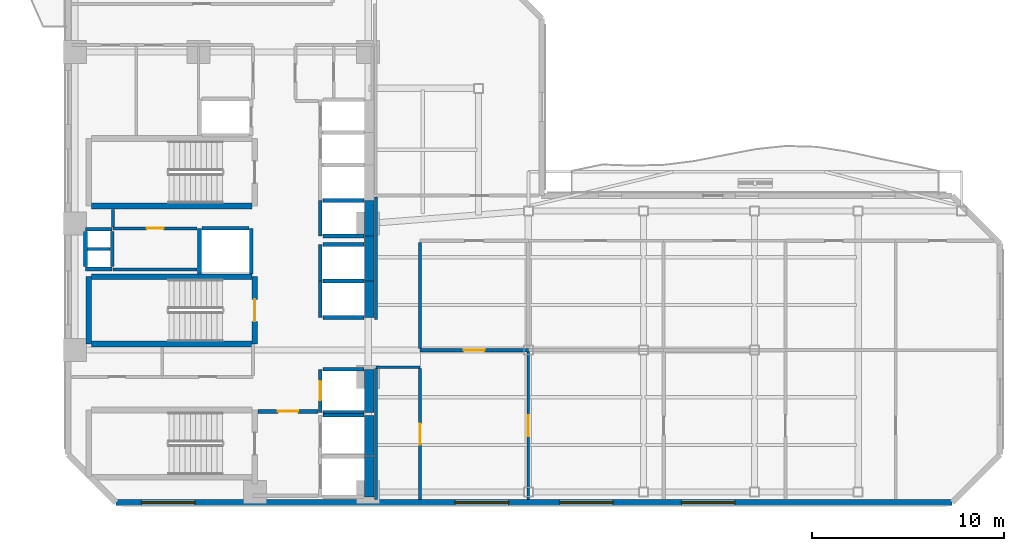
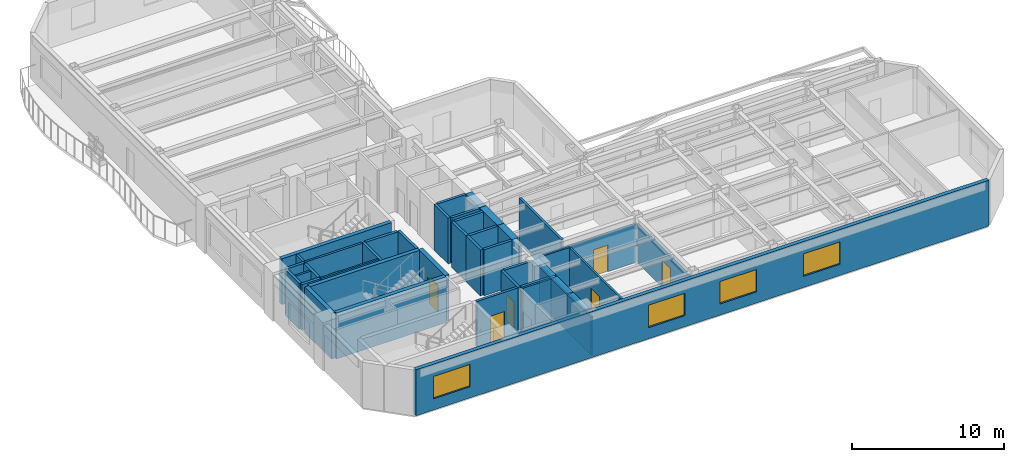
# One storey, part 3 of 12: 43 walls, 7 doors, 4 windows, 11 openings.
"""IFC4 building model written with IfcOpenShell, lengths in metres."""

from ifc_helpers import new_model, si_unit, direction, frame, frame_2d, origin, place, context, subcontext, project, spatial, rectangle, extrude, material, layer, layer_set, type_object, element, fill, save


model = new_model("IFC4")

# Units and contexts
model_context = context("Model", 3, precision=1e-05, world=origin(), true_north=direction((0.0, 1.0)))
body_context = subcontext(model_context, "Body", "Model", "MODEL_VIEW")
ifc_project = project(units=[si_unit("LENGTHUNIT", "METRE"), si_unit("AREAUNIT", "SQUARE_METRE"), si_unit("VOLUMEUNIT", "CUBIC_METRE"), si_unit("PLANEANGLEUNIT", "RADIAN"), si_unit("MASSUNIT", "GRAM", prefix="KILO")], contexts=[model_context])

# Site, building, storey
site_placement = place(None, origin())
site = spatial("IfcSite", under=ifc_project, at=site_placement, CompositionType="ELEMENT")
building_placement = place(site_placement, origin())
building = spatial("IfcBuilding", under=site, at=building_placement, Name="Mawjaban Terraces University", CompositionType="ELEMENT")
storey_placement = place(building_placement, frame((0.0, 0.0, 134.60009765625)))
storey = spatial("IfcBuildingStorey", under=building, at=storey_placement, Name="L32", CompositionType="ELEMENT", Elevation=134.60009765625)

# Wall, opening, door
ifc_material_1 = material(Name="Acoustic masonry blockwork", Category="masonry")
ifc_layer_1 = layer(ifc_material_1, 0.179931640625)
ifc_layer_set_1 = layer_set([ifc_layer_1], Name="Acoustic masonry blockwork")
wall_type_1 = type_object("IfcWallType", Name="AcousticStudioWall_180", PredefinedType="PARTITIONING", material=ifc_layer_set_1)
wall_1_placement = place(storey_placement, frame((46.0, 7.949951171875, 0.0), z_axis=(0.0, 0.0, 1.0), x_axis=(-1.0, 0.0, 0.0)))
wall_1 = element("IfcWall", 1, at=wall_1_placement, inside=storey, type_object=wall_type_1, Name="L32 Teaching Laboratory 2 Partition 19", PredefinedType="PARTITIONING", context=body_context, shape_type="SweptSolid", body=[
    extrude(rectangle(XDim=5.64990234375, YDim=0.179931640625, at=frame_2d((2.824951171875, 0.0))), origin(), (0.0, 0.0, 1.0), 3.073974609375),
])
opening_1_placement = place(wall_1_placement, frame((2.27490234375, 0.0, 0.0)))
opening_1 = element("IfcOpeningElement", 2, at=opening_1_placement, cuts=wall_1, Name="Opening ID-110", PredefinedType="OPENING", context=body_context, shape_type="SweptSolid", body=[
    extrude(rectangle(XDim=1.10009765625, YDim=2.14990234375, at=frame_2d((0.550048828125, 1.074951171875))), frame((0.0, 0.099853515625, 0.0), z_axis=(0.0, -1.0, 0.0), x_axis=(1.0, 0.0, 0.0)), (0.0, 0.0, 1.0), 0.199951171875),
])
ifc_material_2 = material(Name="Powder-coated steel frame and solid acoustic timber leaf", Category="steel")
door_type_1 = type_object("IfcDoorType", Name="LabDoor_1100x2150", OperationType="NOTDEFINED", PredefinedType="DOOR", material=ifc_material_2)
door_1_placement = place(opening_1_placement, origin())
door_1 = element("IfcDoor", 3, at=door_1_placement, inside=storey, type_object=door_type_1, Name="L32 Teaching Laboratory 2 Door", OperationType="SINGLE_SWING_LEFT", OverallHeight=2.14990234375, OverallWidth=1.10009765625, PredefinedType="DOOR", context=body_context, shape_type="SweptSolid", body=[
    extrude(rectangle(XDim=1.10009765625, YDim=2.14990234375, at=frame_2d((0.550048828125, 1.074951171875))), frame((0.0, 0.02490234375, 0.0), z_axis=(0.0, -1.0, 0.0), x_axis=(1.0, 0.0, 0.0)), (0.0, 0.0, 1.0), 0.050048828125),
])
fill(opening_1, door_1)

# Walls
wall_2_placement = place(storey_placement, frame((40.35009765625, 8.034912109375, 0.0), z_axis=(0.0, 0.0, 1.0), x_axis=(0.0, 1.0, 0.0)))
element("IfcWall", 4, at=wall_2_placement, inside=storey, type_object=wall_type_1, Name="L32 Inner Gallery Link Corridor Partition 44", PredefinedType="PARTITIONING", context=body_context, shape_type="SweptSolid", body=[
    extrude(rectangle(XDim=5.530029296875, YDim=0.179931640625, at=frame_2d((2.76513671875, 0.0))), origin(), (0.0, 0.0, 1.0), 3.68994140625),
])
ifc_material_3 = material(Name="Concrete C60/75", Category="concrete")
ifc_layer_2 = layer(ifc_material_3, 0.5)
ifc_layer_set_2 = layer_set([ifc_layer_2], Name="Concrete C60/75")
wall_type_2 = type_object("IfcWallType", Name="CoreShearWall_500", PredefinedType="SHEAR", material=ifc_layer_set_2)
wall_3_placement = place(storey_placement, frame((37.699951171875, 0.300048828125, 0.0), z_axis=(0.0, 0.0, 1.0), x_axis=(0.0, 1.0, 0.0)))
element("IfcWall", 5, at=wall_3_placement, inside=storey, type_object=wall_type_2, Name="L32 Lift FL-1 Hoistway Wall East", PredefinedType="SHEAR", context=body_context, shape_type="SweptSolid", body=[
    extrude(rectangle(XDim=2.099853515625, YDim=0.5, at=frame_2d((1.0498046875, 0.0))), origin(), (0.0, 0.0, 1.0), 3.68994140625),
])
wall_4_placement = place(storey_placement, frame((37.699951171875, 2.449951171875, 0.0), z_axis=(0.0, 0.0, 1.0), x_axis=(0.0, 1.0, 0.0)))
element("IfcWall", 6, at=wall_4_placement, inside=storey, type_object=wall_type_2, Name="L32 Lift FL-2 Hoistway Wall East", PredefinedType="SHEAR", context=body_context, shape_type="SweptSolid", body=[
    extrude(rectangle(XDim=2.10009765625, YDim=0.5, at=frame_2d((1.050048828125, 0.0))), origin(), (0.0, 0.0, 1.0), 3.68994140625),
])
wall_5_placement = place(storey_placement, frame((37.699951171875, 4.699951171875, 0.0), z_axis=(0.0, 0.0, 1.0), x_axis=(0.0, 1.0, 0.0)))
element("IfcWall", 7, at=wall_5_placement, inside=storey, type_object=wall_type_2, Name="L32 Lift SL-1 Hoistway Wall East", PredefinedType="SHEAR", context=body_context, shape_type="SweptSolid", body=[
    extrude(rectangle(XDim=2.25, YDim=0.5, at=frame_2d((1.125, 0.0))), origin(), (0.0, 0.0, 1.0), 3.68994140625),
])
wall_6_placement = place(storey_placement, frame((37.699951171875, 9.64990234375, 0.0), z_axis=(0.0, 0.0, 1.0), x_axis=(0.0, 1.0, 0.0)))
element("IfcWall", 8, at=wall_6_placement, inside=storey, type_object=wall_type_2, Name="L32 Lift PL-H1 Hoistway Wall East", PredefinedType="SHEAR", context=body_context, shape_type="SweptSolid", body=[
    extrude(rectangle(XDim=1.900146484375, YDim=0.5, at=frame_2d((0.9501953125, 0.0))), origin(), (0.0, 0.0, 1.0), 3.68994140625),
])
wall_7_placement = place(storey_placement, frame((37.699951171875, 11.550048828125, 0.0), z_axis=(0.0, 0.0, 1.0), x_axis=(0.0, 1.0, 0.0)))
element("IfcWall", 9, at=wall_7_placement, inside=storey, type_object=wall_type_2, Name="L32 Lift PL-H2 Hoistway Wall East", PredefinedType="SHEAR", context=body_context, shape_type="SweptSolid", body=[
    extrude(rectangle(XDim=2.349853515625, YDim=0.5, at=frame_2d((1.1748046875, 0.0))), origin(), (0.0, 0.0, 1.0), 3.68994140625),
])
wall_8_placement = place(storey_placement, frame((37.699951171875, 13.89990234375, 0.0), z_axis=(0.0, 0.0, 1.0), x_axis=(0.0, 1.0, 0.0)))
element("IfcWall", 10, at=wall_8_placement, inside=storey, type_object=wall_type_2, Name="L32 Lift OL-1 Hoistway Wall East", PredefinedType="SHEAR", context=body_context, shape_type="SweptSolid", body=[
    extrude(rectangle(XDim=1.85009765625, YDim=0.5, at=frame_2d((0.925048828125, 0.0))), origin(), (0.0, 0.0, 1.0), 3.68994140625),
])

# Wall, opening, door
ifc_material_4 = material(Name="Fire-rated gypsum board on steel stud", Category="steel")
ifc_layer_3 = layer(ifc_material_4, 0.159912109375)
ifc_layer_set_3 = layer_set([ifc_layer_3], Name="Fire-rated gypsum board on steel stud")
wall_type_3 = type_object("IfcWallType", Name="CorridorPartition_160", PredefinedType="PARTITIONING", material=ifc_layer_set_3)
wall_9_placement = place(storey_placement, frame((24.35009765625, 14.300048828125, 0.0), z_axis=(0.0, 0.0, 1.0), x_axis=(1.0, 0.0, 0.0)))
wall_9 = element("IfcWall", 11, at=wall_9_placement, inside=storey, type_object=wall_type_3, Name="L32 Core Riser Access Passage Partition 2", PredefinedType="PARTITIONING", context=body_context, shape_type="SweptSolid", body=[
    extrude(rectangle(XDim=4.369873046875, YDim=0.159912109375, at=frame_2d((2.18505859375, 0.0))), origin(), (0.0, 0.0, 1.0), 3.68994140625),
])
opening_2_placement = place(wall_9_placement, frame((1.7451171875, 0.0, 0.0)))
opening_2 = element("IfcOpeningElement", 12, at=opening_2_placement, cuts=wall_9, Name="Opening ID-088", PredefinedType="OPENING", context=body_context, shape_type="SweptSolid", body=[
    extrude(rectangle(XDim=0.8798828125, YDim=2.10009765625, at=frame_2d((0.43994140625, 1.050048828125))), frame((0.0, 0.08984375, 0.0), z_axis=(0.0, -1.0, 0.0), x_axis=(1.0, 0.0, 0.0)), (0.0, 0.0, 1.0), 0.179931640625),
])
door_type_2 = type_object("IfcDoorType", Name="ToiletDoor_880x2100", OperationType="NOTDEFINED", PredefinedType="DOOR", material=ifc_material_2)
door_2_placement = place(opening_2_placement, origin())
door_2 = element("IfcDoor", 13, at=door_2_placement, inside=storey, type_object=door_type_2, Name="L32 Ablution Room Door", OperationType="SINGLE_SWING_RIGHT", OverallHeight=2.10009765625, OverallWidth=0.8798828125, PredefinedType="DOOR", context=body_context, shape_type="SweptSolid", body=[
    extrude(rectangle(XDim=0.8798828125, YDim=2.10009765625, at=frame_2d((0.43994140625, 1.050048828125))), frame((0.0, 0.02490234375, 0.0), z_axis=(0.0, -1.0, 0.0), x_axis=(1.0, 0.0, 0.0)), (0.0, 0.0, 1.0), 0.050048828125),
])
fill(opening_2, door_2)

# Walls
wall_10_placement = place(storey_placement, frame((24.35009765625, 15.2900390625, 0.0), z_axis=(0.0, 0.0, 1.0), x_axis=(0.0, -1.0, 0.0)))
element("IfcWall", 14, at=wall_10_placement, inside=storey, type_object=wall_type_3, Name="L32 Core Riser Access Passage Partition 28", PredefinedType="PARTITIONING", context=body_context, shape_type="SweptSolid", body=[
    extrude(rectangle(XDim=0.9150390625, YDim=0.159912109375, at=frame_2d((0.45751953125, 0.0))), origin(), (0.0, 0.0, 1.0), 3.68994140625),
])
wall_11_placement = place(storey_placement, frame((38.050048828125, 15.925048828125, 0.0), z_axis=(0.0, 0.0, 1.0), x_axis=(0.0, -1.0, 0.0)))
element("IfcWall", 15, at=wall_11_placement, inside=storey, type_object=wall_type_3, Name="L32 Inner Gallery Link Corridor Partition 41", PredefinedType="PARTITIONING", context=body_context, shape_type="SweptSolid", body=[
    extrude(rectangle(XDim=6.375, YDim=0.159912109375, at=frame_2d((3.1875, 0.0))), origin(), (0.0, 0.0, 1.0), 3.073974609375),
])

# Wall, openings, windows
ifc_material_5 = material(Name="Insulated terracotta rainscreen on concrete backup C40/50", Category="masonry")
ifc_layer_4 = layer(ifc_material_5, 0.300048828125)
ifc_layer_set_4 = layer_set([ifc_layer_4], Name="Insulated terracotta rainscreen on concrete backup C40/50")
wall_type_4 = type_object("IfcWallType", Name="ExtTerracottaWall_300", PredefinedType="SOLIDWALL", material=ifc_layer_set_4)
wall_12_placement = place(storey_placement, frame((24.5, 0.0, 0.0), z_axis=(0.0, 0.0, 1.0), x_axis=(1.0, 0.0, 0.0)))
wall_12 = element("IfcWall", 16, at=wall_12_placement, inside=storey, type_object=wall_type_4, Name="L32 Exterior Terracotta Wall 1", PredefinedType="SOLIDWALL", context=body_context, shape_type="SweptSolid", body=[
    extrude(rectangle(XDim=43.60009765625, YDim=0.300048828125, at=frame_2d((21.800048828125, 0.0))), origin(), (0.0, 0.0, 1.0), 3.68994140625),
])
opening_3_placement = place(wall_12_placement, frame((1.324951171875, 0.0, 0.89990234375)))
opening_3 = element("IfcOpeningElement", 17, at=opening_3_placement, cuts=wall_12, Name="Opening W-09", PredefinedType="OPENING", context=body_context, shape_type="SweptSolid", body=[
    extrude(rectangle(XDim=2.800048828125, YDim=1.800048828125, at=frame_2d((1.39990234375, 0.89990234375))), frame((0.0, 0.159912109375, 0.0), z_axis=(0.0, -1.0, 0.0), x_axis=(1.0, 0.0, 0.0)), (0.0, 0.0, 1.0), 0.320068359375),
])
opening_4_placement = place(wall_12_placement, frame((17.675048828125, 0.0, 0.89990234375)))
opening_4 = element("IfcOpeningElement", 18, at=opening_4_placement, cuts=wall_12, Name="Opening W-09", PredefinedType="OPENING", context=body_context, shape_type="SweptSolid", body=[
    extrude(rectangle(XDim=2.800048828125, YDim=1.800048828125, at=frame_2d((1.39990234375, 0.89990234375))), frame((0.0, 0.159912109375, 0.0), z_axis=(0.0, -1.0, 0.0), x_axis=(1.0, 0.0, 0.0)), (0.0, 0.0, 1.0), 0.320068359375),
])
opening_5_placement = place(wall_12_placement, frame((23.125, 0.0, 0.89990234375)))
opening_5 = element("IfcOpeningElement", 19, at=opening_5_placement, cuts=wall_12, Name="Opening W-09", PredefinedType="OPENING", context=body_context, shape_type="SweptSolid", body=[
    extrude(rectangle(XDim=2.800048828125, YDim=1.800048828125, at=frame_2d((1.39990234375, 0.89990234375))), frame((0.0, 0.159912109375, 0.0), z_axis=(0.0, -1.0, 0.0), x_axis=(1.0, 0.0, 0.0)), (0.0, 0.0, 1.0), 0.320068359375),
])
opening_6_placement = place(wall_12_placement, frame((29.47509765625, 0.0, 0.89990234375)))
opening_6 = element("IfcOpeningElement", 20, at=opening_6_placement, cuts=wall_12, Name="Opening W-09", PredefinedType="OPENING", context=body_context, shape_type="SweptSolid", body=[
    extrude(rectangle(XDim=2.800048828125, YDim=1.800048828125, at=frame_2d((1.39990234375, 0.89990234375))), frame((0.0, 0.159912109375, 0.0), z_axis=(0.0, -1.0, 0.0), x_axis=(1.0, 0.0, 0.0)), (0.0, 0.0, 1.0), 0.320068359375),
])
ifc_material_6 = material(Name="Low-E solar-control double glazing in thermally broken aluminium frame", Category="aluminium")
window_type = type_object("IfcWindowType", Name="Win_2800x1800", PartitioningType="SINGLE_PANEL", PredefinedType="WINDOW", material=ifc_material_6)
window_1_placement = place(opening_3_placement, origin())
window_1 = element("IfcWindow", 21, at=window_1_placement, inside=storey, type_object=window_type, Name="L32 Facade Window 1.1", OverallHeight=1.800048828125, OverallWidth=2.800048828125, PartitioningType="SINGLE_PANEL", PredefinedType="WINDOW", context=body_context, shape_type="SweptSolid", body=[
    extrude(rectangle(XDim=2.800048828125, YDim=1.800048828125, at=frame_2d((1.39990234375, 0.89990234375))), frame((0.0, 0.030029296875, 0.0), z_axis=(0.0, -1.0, 0.0), x_axis=(1.0, 0.0, 0.0)), (0.0, 0.0, 1.0), 0.06005859375),
])
fill(opening_3, window_1)
window_2_placement = place(opening_4_placement, origin())
window_2 = element("IfcWindow", 22, at=window_2_placement, inside=storey, type_object=window_type, Name="L32 Facade Window 1.4", OverallHeight=1.800048828125, OverallWidth=2.800048828125, PartitioningType="SINGLE_PANEL", PredefinedType="WINDOW", context=body_context, shape_type="SweptSolid", body=[
    extrude(rectangle(XDim=2.800048828125, YDim=1.800048828125, at=frame_2d((1.39990234375, 0.89990234375))), frame((0.0, 0.030029296875, 0.0), z_axis=(0.0, -1.0, 0.0), x_axis=(1.0, 0.0, 0.0)), (0.0, 0.0, 1.0), 0.06005859375),
])
fill(opening_4, window_2)
window_3_placement = place(opening_5_placement, origin())
window_3 = element("IfcWindow", 23, at=window_3_placement, inside=storey, type_object=window_type, Name="L32 Facade Window 1.5", OverallHeight=1.800048828125, OverallWidth=2.800048828125, PartitioningType="SINGLE_PANEL", PredefinedType="WINDOW", context=body_context, shape_type="SweptSolid", body=[
    extrude(rectangle(XDim=2.800048828125, YDim=1.800048828125, at=frame_2d((1.39990234375, 0.89990234375))), frame((0.0, 0.030029296875, 0.0), z_axis=(0.0, -1.0, 0.0), x_axis=(1.0, 0.0, 0.0)), (0.0, 0.0, 1.0), 0.06005859375),
])
fill(opening_5, window_3)
window_4_placement = place(opening_6_placement, origin())
window_4 = element("IfcWindow", 24, at=window_4_placement, inside=storey, type_object=window_type, Name="L32 Facade Window 1.6", OverallHeight=1.800048828125, OverallWidth=2.800048828125, PartitioningType="SINGLE_PANEL", PredefinedType="WINDOW", context=body_context, shape_type="SweptSolid", body=[
    extrude(rectangle(XDim=2.800048828125, YDim=1.800048828125, at=frame_2d((1.39990234375, 0.89990234375))), frame((0.0, 0.030029296875, 0.0), z_axis=(0.0, -1.0, 0.0), x_axis=(1.0, 0.0, 0.0)), (0.0, 0.0, 1.0), 0.06005859375),
])
fill(opening_6, window_4)

# Wall
ifc_material_7 = material(Name="Concrete C40/50", Category="concrete")
ifc_layer_5 = layer(ifc_material_7, 0.199951171875)
ifc_layer_set_5 = layer_set([ifc_layer_5], Name="Concrete C40/50")
wall_type_5 = type_object("IfcWallType", Name="FireLobbyWall_200", PredefinedType="SOLIDWALL", material=ifc_layer_set_5)
wall_13_placement = place(storey_placement, frame((37.419921875, 4.550048828125, 0.0), z_axis=(0.0, 0.0, 1.0), x_axis=(-1.0, 0.0, 0.0)))
element("IfcWall", 25, at=wall_13_placement, inside=storey, type_object=wall_type_5, Name="L32 Lift FL-2 Hoistway Wall North", PredefinedType="SOLIDWALL", context=body_context, shape_type="SweptSolid", body=[
    extrude(rectangle(XDim=2.139892578125, YDim=0.199951171875, at=frame_2d((1.06982421875, 0.0))), origin(), (0.0, 0.0, 1.0), 3.68994140625),
])

# Wall, opening, door
wall_14_placement = place(storey_placement, frame((35.14990234375, 6.949951171875, 0.0), z_axis=(0.0, 0.0, 1.0), x_axis=(0.0, -1.0, 0.0)))
wall_14 = element("IfcWall", 26, at=wall_14_placement, inside=storey, type_object=wall_type_5, Name="L32 Lift SL-1 Hoistway Wall West", PredefinedType="SOLIDWALL", context=body_context, shape_type="SweptSolid", body=[
    extrude(rectangle(XDim=2.25, YDim=0.199951171875, at=frame_2d((1.125, 0.0))), origin(), (0.0, 0.0, 1.0), 3.68994140625),
])
opening_7_placement = place(wall_14_placement, frame((0.625, 0.0, 0.0)))
opening_7 = element("IfcOpeningElement", 27, at=opening_7_placement, cuts=wall_14, Name="Opening LD-SL-1", PredefinedType="OPENING", context=body_context, shape_type="SweptSolid", body=[
    extrude(rectangle(XDim=1.0, YDim=2.10009765625, at=frame_2d((0.5, 1.050048828125))), frame((0.0, 0.10986328125, 0.0), z_axis=(0.0, -1.0, 0.0), x_axis=(1.0, 0.0, 0.0)), (0.0, 0.0, 1.0), 0.219970703125),
])
ifc_material_8 = material(Name="Powder-coated steel frame and fire-rated steel-faced leaf", Category="steel")
door_type_3 = type_object("IfcDoorType", Name="LiftLandingSliding_1000x2100", OperationType="NOTDEFINED", PredefinedType="DOOR", material=ifc_material_8)
door_3_placement = place(opening_7_placement, origin())
door_3 = element("IfcDoor", 28, at=door_3_placement, inside=storey, type_object=door_type_3, Name="L32 Lift SL-1 Sliding Landing Door", OperationType="DOUBLE_DOOR_SLIDING", OverallHeight=2.10009765625, OverallWidth=1.0, PredefinedType="DOOR", context=body_context, shape_type="SweptSolid", body=[
    extrude(rectangle(XDim=1.0, YDim=2.10009765625, at=frame_2d((0.5, 1.050048828125))), frame((0.0, 0.02490234375, 0.0), z_axis=(0.0, -1.0, 0.0), x_axis=(1.0, 0.0, 0.0)), (0.0, 0.0, 1.0), 0.050048828125),
])
fill(opening_7, door_3)

# Walls
for number, where, z_axis, x_axis, name in (
    (29, (35.280029296875, 4.699951171875, 0.0), (0.0, 0.0, 1.0), (1.0, 0.0, 0.0), "L32 Lift SL-1 Hoistway Wall South"),
    (30, (37.419921875, 6.949951171875, 0.0), (0.0, 0.0, 1.0), (-1.0, 0.0, 0.0), "L32 Lift SL-1 Hoistway Wall North"),
):
    element("IfcWall", number, at=place(storey_placement, frame(where, z_axis=z_axis, x_axis=x_axis)), inside=storey, type_object=wall_type_5, Name=name, PredefinedType="SOLIDWALL", context=body_context, shape_type="SweptSolid", body=[
        extrude(rectangle(XDim=2.139892578125, YDim=0.199951171875, at=frame_2d((1.06982421875, 0.0))), origin(), (0.0, 0.0, 1.0), 3.68994140625),
    ])
wall_15_placement = place(storey_placement, frame((35.14990234375, 11.550048828125, 0.0), z_axis=(0.0, 0.0, 1.0), x_axis=(0.0, -1.0, 0.0)))
element("IfcWall", 31, at=wall_15_placement, inside=storey, type_object=wall_type_5, Name="L32 Lift PL-H1 Hoistway Wall West", PredefinedType="SOLIDWALL", context=body_context, shape_type="SweptSolid", body=[
    extrude(rectangle(XDim=1.900146484375, YDim=0.199951171875, at=frame_2d((0.9501953125, 0.0))), origin(), (0.0, 0.0, 1.0), 3.68994140625),
])
for number, where, z_axis, x_axis, name in (
    (32, (35.280029296875, 9.64990234375, 0.0), (0.0, 0.0, 1.0), (1.0, 0.0, 0.0), "L32 Lift PL-H1 Hoistway Wall South"),
    (33, (37.419921875, 11.550048828125, 0.0), (0.0, 0.0, 1.0), (-1.0, 0.0, 0.0), "L32 Lift PL-H1 Hoistway Wall North"),
):
    element("IfcWall", number, at=place(storey_placement, frame(where, z_axis=z_axis, x_axis=x_axis)), inside=storey, type_object=wall_type_5, Name=name, PredefinedType="SOLIDWALL", context=body_context, shape_type="SweptSolid", body=[
        extrude(rectangle(XDim=2.139892578125, YDim=0.199951171875, at=frame_2d((1.06982421875, 0.0))), origin(), (0.0, 0.0, 1.0), 3.68994140625),
    ])
wall_16_placement = place(storey_placement, frame((35.14990234375, 13.449951171875, 0.0), z_axis=(0.0, 0.0, 1.0), x_axis=(0.0, -1.0, 0.0)))
element("IfcWall", 34, at=wall_16_placement, inside=storey, type_object=wall_type_5, Name="L32 Lift PL-H2 Hoistway Wall West", PredefinedType="SOLIDWALL", context=body_context, shape_type="SweptSolid", body=[
    extrude(rectangle(XDim=1.89990234375, YDim=0.199951171875, at=frame_2d((0.949951171875, 0.0))), origin(), (0.0, 0.0, 1.0), 3.68994140625),
])
wall_17_placement = place(storey_placement, frame((37.419921875, 13.449951171875, 0.0), z_axis=(0.0, 0.0, 1.0), x_axis=(-1.0, 0.0, 0.0)))
element("IfcWall", 35, at=wall_17_placement, inside=storey, type_object=wall_type_5, Name="L32 Lift PL-H2 Hoistway Wall North", PredefinedType="SOLIDWALL", context=body_context, shape_type="SweptSolid", body=[
    extrude(rectangle(XDim=2.139892578125, YDim=0.199951171875, at=frame_2d((1.06982421875, 0.0))), origin(), (0.0, 0.0, 1.0), 3.68994140625),
])
for number, where, z_axis, x_axis, name in (
    (36, (28.85009765625, 14.300048828125, 0.0), (0.0, 0.0, 1.0), (0.0, -1.0, 0.0), "L32 Lift PL-H3 Hoistway Wall West"),
    (37, (31.550048828125, 11.929931640625, 0.0), (0.0, 0.0, 1.0), (0.0, 1.0, 0.0), "L32 Lift PL-H3 Hoistway Wall East"),
):
    element("IfcWall", number, at=place(storey_placement, frame(where, z_axis=z_axis, x_axis=x_axis)), inside=storey, type_object=wall_type_5, Name=name, PredefinedType="SOLIDWALL", context=body_context, shape_type="SweptSolid", body=[
        extrude(rectangle(XDim=2.3701171875, YDim=0.199951171875, at=frame_2d((1.18505859375, 0.0))), origin(), (0.0, 0.0, 1.0), 3.68994140625),
    ])
wall_18_placement = place(storey_placement, frame((31.419921875, 14.300048828125, 0.0), z_axis=(0.0, 0.0, 1.0), x_axis=(-1.0, 0.0, 0.0)))
element("IfcWall", 38, at=wall_18_placement, inside=storey, type_object=wall_type_5, Name="L32 Lift PL-H3 Hoistway Wall North", PredefinedType="SOLIDWALL", context=body_context, shape_type="SweptSolid", body=[
    extrude(rectangle(XDim=2.43994140625, YDim=0.199951171875, at=frame_2d((1.219970703125, 0.0))), origin(), (0.0, 0.0, 1.0), 3.68994140625),
])
wall_19_placement = place(storey_placement, frame((35.14990234375, 15.75, 0.0), z_axis=(0.0, 0.0, 1.0), x_axis=(0.0, -1.0, 0.0)))
element("IfcWall", 39, at=wall_19_placement, inside=storey, type_object=wall_type_5, Name="L32 Lift OL-1 Hoistway Wall West", PredefinedType="SOLIDWALL", context=body_context, shape_type="SweptSolid", body=[
    extrude(rectangle(XDim=1.85009765625, YDim=0.199951171875, at=frame_2d((0.925048828125, 0.0))), origin(), (0.0, 0.0, 1.0), 3.68994140625),
])
for number, where, z_axis, x_axis, name in (
    (40, (35.280029296875, 13.89990234375, 0.0), (0.0, 0.0, 1.0), (1.0, 0.0, 0.0), "L32 Lift OL-1 Hoistway Wall South"),
    (41, (37.419921875, 15.75, 0.0), (0.0, 0.0, 1.0), (-1.0, 0.0, 0.0), "L32 Lift OL-1 Hoistway Wall North"),
):
    element("IfcWall", number, at=place(storey_placement, frame(where, z_axis=z_axis, x_axis=x_axis)), inside=storey, type_object=wall_type_5, Name=name, PredefinedType="SOLIDWALL", context=body_context, shape_type="SweptSolid", body=[
        extrude(rectangle(XDim=2.139892578125, YDim=0.199951171875, at=frame_2d((1.06982421875, 0.0))), origin(), (0.0, 0.0, 1.0), 3.68994140625),
    ])
for number, where, z_axis, x_axis, name in (
    (42, (22.89990234375, 14.25, 0.0), (0.0, 0.0, 1.0), (1.0, 0.0, 0.0), "L32 MEP Riser Shaft Wall N"),
    (43, (22.89990234375, 12.179931640625, 0.0), (0.0, 0.0, 1.0), (1.0, 0.0, 0.0), "L32 MEP Riser Shaft Wall S"),
):
    element("IfcWall", number, at=place(storey_placement, frame(where, z_axis=z_axis, x_axis=x_axis)), inside=storey, type_object=wall_type_5, Name=name, PredefinedType="SOLIDWALL", context=body_context, shape_type="SweptSolid", body=[
        extrude(rectangle(XDim=1.400146484375, YDim=0.199951171875, at=frame_2d((0.7001953125, 0.0))), origin(), (0.0, 0.0, 1.0), 3.68994140625),
    ])
for number, where, z_axis, x_axis, name in (
    (44, (24.300048828125, 12.300048828125, 0.0), (0.0, 0.0, 1.0), (0.0, 1.0, 0.0), "L32 MEP Riser Shaft Wall E"),
    (45, (22.89990234375, 12.300048828125, 0.0), (0.0, 0.0, 1.0), (0.0, 1.0, 0.0), "L32 MEP Riser Shaft Wall W"),
):
    element("IfcWall", number, at=place(storey_placement, frame(where, z_axis=z_axis, x_axis=x_axis)), inside=storey, type_object=wall_type_5, Name=name, PredefinedType="SOLIDWALL", context=body_context, shape_type="SweptSolid", body=[
        extrude(rectangle(XDim=1.829833984375, YDim=0.199951171875, at=frame_2d((0.9150390625, 0.0))), origin(), (0.0, 0.0, 1.0), 3.68994140625),
    ])

# Wall, opening, door
wall_20_placement = place(storey_placement, frame((35.02001953125, 4.75, 0.0), z_axis=(0.0, 0.0, 1.0), x_axis=(-1.0, 0.0, 0.0)))
wall_20 = element("IfcWall", 46, at=wall_20_placement, inside=storey, type_object=wall_type_5, Name="L32 Firefighting Lift Lobby Partition 9", PredefinedType="SOLIDWALL", context=body_context, shape_type="SweptSolid", body=[
    extrude(rectangle(XDim=3.110107421875, YDim=0.199951171875, at=frame_2d((1.55517578125, 0.0))), origin(), (0.0, 0.0, 1.0), 3.68994140625),
])
opening_8_placement = place(wall_20_placement, frame((1.030029296875, 0.0, 0.0)))
opening_8 = element("IfcOpeningElement", 47, at=opening_8_placement, cuts=wall_20, Name="Opening FD-105", PredefinedType="OPENING", context=body_context, shape_type="SweptSolid", body=[
    extrude(rectangle(XDim=1.050048828125, YDim=2.14990234375, at=frame_2d((0.52490234375, 1.074951171875))), frame((0.0, 0.10986328125, 0.0), z_axis=(0.0, -1.0, 0.0), x_axis=(1.0, 0.0, 0.0)), (0.0, 0.0, 1.0), 0.219970703125),
])
door_type_4 = type_object("IfcDoorType", Name="FireLobbyDoor_1050x2150", OperationType="NOTDEFINED", PredefinedType="DOOR", material=ifc_material_8)
door_4_placement = place(opening_8_placement, origin())
door_4 = element("IfcDoor", 48, at=door_4_placement, inside=storey, type_object=door_type_4, Name="L32 Firefighting Lift Lobby Door", OperationType="SINGLE_SWING_RIGHT", OverallHeight=2.14990234375, OverallWidth=1.050048828125, PredefinedType="DOOR", context=body_context, shape_type="SweptSolid", body=[
    extrude(rectangle(XDim=1.050048828125, YDim=2.14990234375, at=frame_2d((0.52490234375, 1.074951171875))), frame((0.0, 0.02490234375, 0.0), z_axis=(0.0, -1.0, 0.0), x_axis=(1.0, 0.0, 0.0)), (0.0, 0.0, 1.0), 0.050048828125),
])
fill(opening_8, door_4)

# Walls
ifc_material_9 = material(Name="Moisture-resistant gypsum board on steel stud", Category="steel")
ifc_layer_6 = layer(ifc_material_9, 0.14501953125)
ifc_layer_set_6 = layer_set([ifc_layer_6], Name="Moisture-resistant gypsum board on steel stud")
wall_type_6 = type_object("IfcWallType", Name="LabPartition_145", PredefinedType="PARTITIONING", material=ifc_layer_set_6)
wall_21_placement = place(storey_placement, frame((23.010009765625, 13.22509765625, 0.0), z_axis=(0.0, 0.0, 1.0), x_axis=(1.0, 0.0, 0.0)))
element("IfcWall", 49, at=wall_21_placement, inside=storey, type_object=wall_type_6, Name="L32 MEP Riser Shaft Wall M", PredefinedType="PARTITIONING", context=body_context, shape_type="SweptSolid", body=[
    extrude(rectangle(XDim=1.179931640625, YDim=0.14501953125, at=frame_2d((0.58984375, 0.0))), origin(), (0.0, 0.0, 1.0), 3.68994140625),
])
wall_22_placement = place(storey_placement, frame((38.050048828125, 7.050048828125, 0.0), z_axis=(0.0, 0.0, 1.0), x_axis=(1.0, 0.0, 0.0)))
element("IfcWall", 50, at=wall_22_placement, inside=storey, type_object=wall_type_6, Name="L32 Inner Gallery Link Corridor Partition 15", PredefinedType="PARTITIONING", context=body_context, shape_type="SweptSolid", body=[
    extrude(rectangle(XDim=2.300048828125, YDim=0.14501953125, at=frame_2d((1.14990234375, 0.0))), origin(), (0.0, 0.0, 1.0), 3.68994140625),
])
wall_23_placement = place(storey_placement, frame((38.050048828125, 6.98193359375, 0.0), z_axis=(0.0, 0.0, 1.0), x_axis=(0.0, -1.0, 0.0)))
element("IfcWall", 51, at=wall_23_placement, inside=storey, type_object=wall_type_6, Name="L32 Computational Laboratory 1 Partition 40", PredefinedType="PARTITIONING", context=body_context, shape_type="SweptSolid", body=[
    extrude(rectangle(XDim=6.8369140625, YDim=0.14501953125, at=frame_2d((3.41845703125, 0.0))), origin(), (0.0, 0.0, 1.0), 3.073974609375),
])

# Wall, opening, door
wall_24_placement = place(storey_placement, frame((40.35009765625, 0.14501953125, 0.0), z_axis=(0.0, 0.0, 1.0), x_axis=(0.0, 1.0, 0.0)))
wall_24 = element("IfcWall", 52, at=wall_24_placement, inside=storey, type_object=wall_type_6, Name="L32 Computational Laboratory 1 Partition 43", PredefinedType="PARTITIONING", context=body_context, shape_type="SweptSolid", body=[
    extrude(rectangle(XDim=6.8369140625, YDim=0.14501953125, at=frame_2d((3.41845703125, 0.0))), origin(), (0.0, 0.0, 1.0), 3.68994140625),
])
opening_9_placement = place(wall_24_placement, frame((2.868896484375, 0.0, 0.0)))
opening_9 = element("IfcOpeningElement", 53, at=opening_9_placement, cuts=wall_24, Name="Opening ID-110", PredefinedType="OPENING", context=body_context, shape_type="SweptSolid", body=[
    extrude(rectangle(XDim=1.10009765625, YDim=2.14990234375, at=frame_2d((0.550048828125, 1.074951171875))), frame((0.0, 0.08251953125, 0.0), z_axis=(0.0, -1.0, 0.0), x_axis=(1.0, 0.0, 0.0)), (0.0, 0.0, 1.0), 0.1650390625),
])
door_5_placement = place(opening_9_placement, origin())
door_5 = element("IfcDoor", 54, at=door_5_placement, inside=storey, type_object=door_type_1, Name="L32 Computational Laboratory 1 Door", OperationType="SINGLE_SWING_RIGHT", OverallHeight=2.14990234375, OverallWidth=1.10009765625, PredefinedType="DOOR", context=body_context, shape_type="SweptSolid", body=[
    extrude(rectangle(XDim=1.10009765625, YDim=2.14990234375, at=frame_2d((0.550048828125, 1.074951171875))), frame((0.0, 0.02490234375, 0.0), z_axis=(0.0, -1.0, 0.0), x_axis=(1.0, 0.0, 0.0)), (0.0, 0.0, 1.0), 0.050048828125),
])
fill(opening_9, door_5)

wall_25_placement = place(storey_placement, frame((46.0, 0.14501953125, 0.0), z_axis=(0.0, 0.0, 1.0), x_axis=(0.0, 1.0, 0.0)))
wall_25 = element("IfcWall", 55, at=wall_25_placement, inside=storey, type_object=wall_type_6, Name="L32 Teaching Laboratory 2 Partition 45", PredefinedType="PARTITIONING", context=body_context, shape_type="SweptSolid", body=[
    extrude(rectangle(XDim=7.719970703125, YDim=0.14501953125, at=frame_2d((3.85986328125, 0.0))), origin(), (0.0, 0.0, 1.0), 3.073974609375),
])
opening_10_placement = place(wall_25_placement, frame((3.31005859375, 0.0, 0.0)))
opening_10 = element("IfcOpeningElement", 56, at=opening_10_placement, cuts=wall_25, Name="Opening ID-110", PredefinedType="OPENING", context=body_context, shape_type="SweptSolid", body=[
    extrude(rectangle(XDim=1.10009765625, YDim=2.14990234375, at=frame_2d((0.550048828125, 1.074951171875))), frame((0.0, 0.08251953125, 0.0), z_axis=(0.0, -1.0, 0.0), x_axis=(1.0, 0.0, 0.0)), (0.0, 0.0, 1.0), 0.1650390625),
])
door_6_placement = place(opening_10_placement, origin())
door_6 = element("IfcDoor", 57, at=door_6_placement, inside=storey, type_object=door_type_1, Name="L32 Computational Laboratory 4 Door", OperationType="SINGLE_SWING_RIGHT", OverallHeight=2.14990234375, OverallWidth=1.10009765625, PredefinedType="DOOR", context=body_context, shape_type="SweptSolid", body=[
    extrude(rectangle(XDim=1.10009765625, YDim=2.14990234375, at=frame_2d((0.550048828125, 1.074951171875))), frame((0.0, 0.02490234375, 0.0), z_axis=(0.0, -1.0, 0.0), x_axis=(1.0, 0.0, 0.0)), (0.0, 0.0, 1.0), 0.050048828125),
])
fill(opening_10, door_6)

# Walls
ifc_layer_7 = layer(ifc_material_3, 0.300048828125)
ifc_layer_set_7 = layer_set([ifc_layer_7], Name="Concrete C60/75")
wall_type_7 = type_object("IfcWallType", Name="StairShaftWall_300", PredefinedType="SHEAR", material=ifc_layer_set_7)
for number, where, z_axis, x_axis, name in (
    (58, (23.219970703125, 15.469970703125, 0.0), (0.0, 0.0, 1.0), (1.0, 0.0, 0.0), "L32 ST-2 Stair Shaft Wall 3"),
    (59, (31.580078125, 11.780029296875, 0.0), (0.0, 0.0, 1.0), (-1.0, 0.0, 0.0), "L32 ST-3 Stair Shaft Wall 1"),
):
    element("IfcWall", number, at=place(storey_placement, frame(where, z_axis=z_axis, x_axis=x_axis)), inside=storey, type_object=wall_type_7, Name=name, PredefinedType="SHEAR", context=body_context, shape_type="SweptSolid", body=[
        extrude(rectangle(XDim=8.360107421875, YDim=0.300048828125, at=frame_2d((4.18017578125, 0.0))), origin(), (0.0, 0.0, 1.0), 3.68994140625),
    ])
wall_26_placement = place(storey_placement, frame((23.070068359375, 11.780029296875, 0.0), z_axis=(0.0, 0.0, 1.0), x_axis=(0.0, -1.0, 0.0)))
element("IfcWall", 60, at=wall_26_placement, inside=storey, type_object=wall_type_7, Name="L32 ST-3 Stair Shaft Wall 2", PredefinedType="SHEAR", context=body_context, shape_type="SweptSolid", body=[
    extrude(rectangle(XDim=3.510009765625, YDim=0.300048828125, at=frame_2d((1.7548828125, 0.0))), origin(), (0.0, 0.0, 1.0), 3.68994140625),
])
wall_27_placement = place(storey_placement, frame((23.219970703125, 8.27001953125, 0.0), z_axis=(0.0, 0.0, 1.0), x_axis=(1.0, 0.0, 0.0)))
element("IfcWall", 61, at=wall_27_placement, inside=storey, type_object=wall_type_7, Name="L32 ST-3 Stair Shaft Wall 3", PredefinedType="SHEAR", context=body_context, shape_type="SweptSolid", body=[
    extrude(rectangle(XDim=8.360107421875, YDim=0.300048828125, at=frame_2d((4.18017578125, 0.0))), origin(), (0.0, 0.0, 1.0), 3.68994140625),
])

# Wall, opening, door
wall_28_placement = place(storey_placement, frame((31.72998046875, 8.27001953125, 0.0), z_axis=(0.0, 0.0, 1.0), x_axis=(0.0, 1.0, 0.0)))
wall_28 = element("IfcWall", 62, at=wall_28_placement, inside=storey, type_object=wall_type_7, Name="L32 ST-3 Stair Shaft Wall 4", PredefinedType="SHEAR", context=body_context, shape_type="SweptSolid", body=[
    extrude(rectangle(XDim=3.510009765625, YDim=0.300048828125, at=frame_2d((1.7548828125, 0.0))), origin(), (0.0, 0.0, 1.0), 3.68994140625),
])
opening_11_placement = place(wall_28_placement, frame((1.179931640625, 0.0, 0.0)))
opening_11 = element("IfcOpeningElement", 63, at=opening_11_placement, cuts=wall_28, Name="Opening FD-115", PredefinedType="OPENING", context=body_context, shape_type="SweptSolid", body=[
    extrude(rectangle(XDim=1.14990234375, YDim=2.14990234375, at=frame_2d((0.574951171875, 1.074951171875))), frame((0.0, 0.159912109375, 0.0), z_axis=(0.0, -1.0, 0.0), x_axis=(1.0, 0.0, 0.0)), (0.0, 0.0, 1.0), 0.320068359375),
])
door_type_5 = type_object("IfcDoorType", Name="FireStairDoor_1150x2150", OperationType="NOTDEFINED", PredefinedType="DOOR", material=ifc_material_8)
door_7_placement = place(opening_11_placement, origin())
door_7 = element("IfcDoor", 64, at=door_7_placement, inside=storey, type_object=door_type_5, Name="L32 ST-3 Pressurised Stair Fire Door", OperationType="SINGLE_SWING_LEFT", OverallHeight=2.14990234375, OverallWidth=1.14990234375, PredefinedType="DOOR", context=body_context, shape_type="SweptSolid", body=[
    extrude(rectangle(XDim=1.14990234375, YDim=2.14990234375, at=frame_2d((0.574951171875, 1.074951171875))), frame((0.0, 0.02490234375, 0.0), z_axis=(0.0, -1.0, 0.0), x_axis=(1.0, 0.0, 0.0)), (0.0, 0.0, 1.0), 0.050048828125),
])
fill(opening_11, door_7)

# Wall
ifc_material_10 = material(Name="Cement-board wet-room partition", Category="masonry")
ifc_layer_8 = layer(ifc_material_10, 0.135009765625)
ifc_layer_set_8 = layer_set([ifc_layer_8], Name="Cement-board wet-room partition")
wall_type_8 = type_object("IfcWallType", Name="WetRoomPartition_135", PredefinedType="PARTITIONING", material=ifc_layer_set_8)
wall_29_placement = place(storey_placement, frame((24.35009765625, 12.14990234375, 0.0), z_axis=(0.0, 0.0, 1.0), x_axis=(1.0, 0.0, 0.0)))
element("IfcWall", 65, at=wall_29_placement, inside=storey, type_object=wall_type_8, Name="L32 Ablution Room Partition 1", PredefinedType="PARTITIONING", context=body_context, shape_type="SweptSolid", body=[
    extrude(rectangle(XDim=4.369873046875, YDim=0.135009765625, at=frame_2d((2.18505859375, 0.0))), origin(), (0.0, 0.0, 1.0), 3.68994140625),
])

save(model, "model.ifc")
